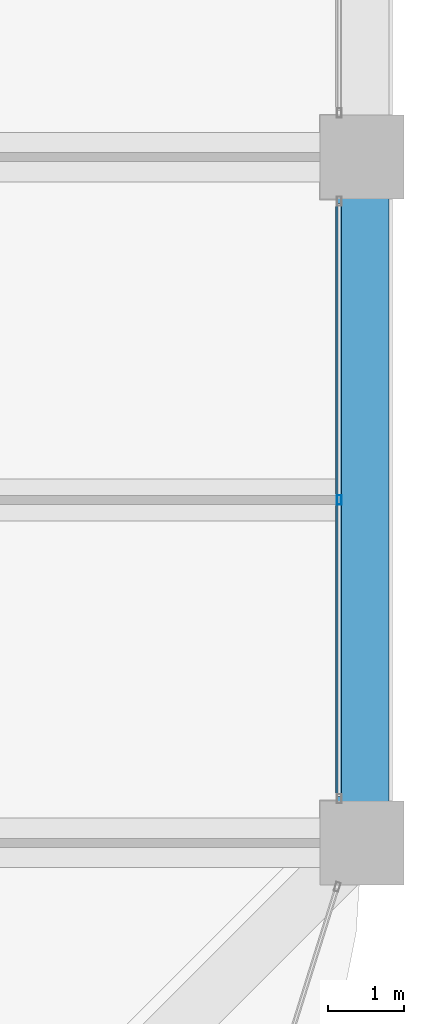
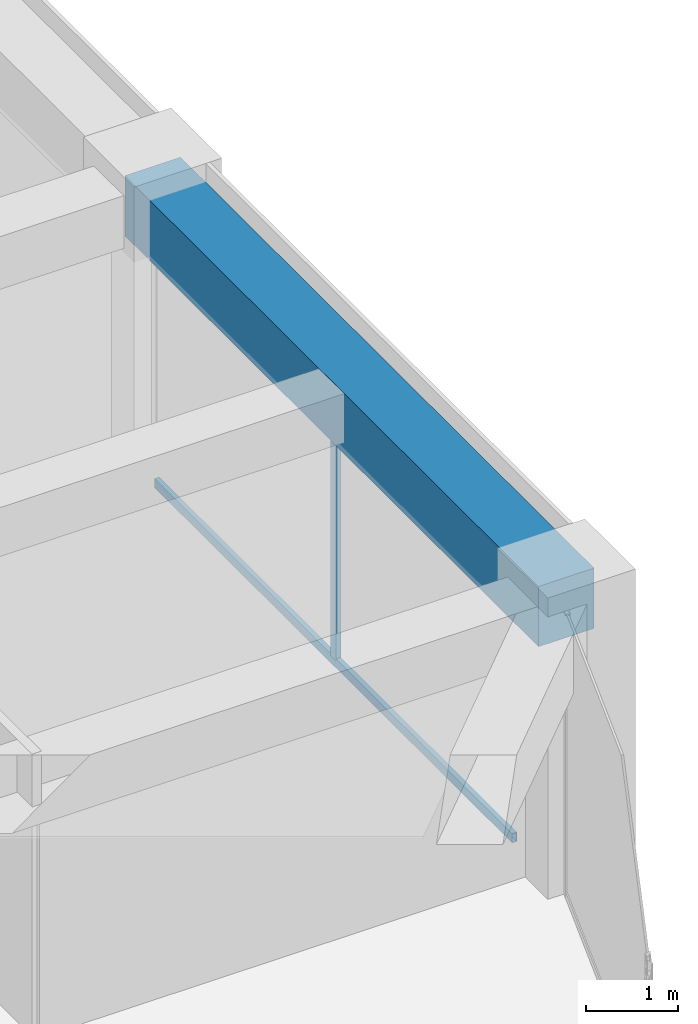
# One storey, part 23 of 44: 2 members, 1 beam, 1 element without a shape of its own.
"""IFC4 building model written with IfcOpenShell, lengths in metres."""

from ifc_helpers import new_model, si_unit, direction, frame, origin, origin_2d, place, context, subcontext, project, spatial, rectangle, hollow_rectangle, extrude, material, material_profile, profile_set, type_object, element, aggregate, save


model = new_model("IFC4")

# Units and contexts
model_context = context("Model", 3, precision=1e-05, world=origin(), true_north=direction((0.0, 1.0)))
body_context = subcontext(model_context, "Body", "Model", "MODEL_VIEW")
ifc_project = project(units=[si_unit("LENGTHUNIT", "METRE"), si_unit("AREAUNIT", "SQUARE_METRE"), si_unit("VOLUMEUNIT", "CUBIC_METRE"), si_unit("PLANEANGLEUNIT", "RADIAN"), si_unit("MASSUNIT", "GRAM", prefix="KILO")], contexts=[model_context])

# Site, building, storey
site_placement = place(None, origin())
site = spatial("IfcSite", under=ifc_project, at=site_placement, CompositionType="ELEMENT")
building_placement = place(site_placement, origin())
building = spatial("IfcBuilding", under=site, at=building_placement, Name="Zorevar Civic Tower", CompositionType="ELEMENT")
storey_placement = place(building_placement, frame((0.0, 0.0, 267.39990234375)))
storey = spatial("IfcBuildingStorey", under=building, at=storey_placement, Name="L65", CompositionType="ELEMENT", Elevation=267.39990234375)

# Curtain wall, members
ifc_material_1 = material(Name="Dark grey solar-control glass in black aluminium frame", Category="aluminium")
curtain_wall_type = type_object("IfcCurtainWallType", Name="Curtain wall CW5 top zone", PredefinedType="NOTDEFINED", material=ifc_material_1)
curtain_wall_placement = place(storey_placement, origin())
curtain_wall = element("IfcCurtainWall", 1, at=curtain_wall_placement, inside=storey, type_object=curtain_wall_type, Name="CW5 L65", PredefinedType="NOTDEFINED")
ifc_material_2 = material(Name="Aluminium, black anodised", Category="aluminium")
ifc_material_profile_1 = material_profile(ifc_material_2, hollow_rectangle(XDim=0.06005859375, YDim=0.1201171875, WallThickness=0.0029296875, at=origin_2d()), Name="AL 120x60x3")
ifc_profile_set_1 = profile_set([ifc_material_profile_1], Name="Aluminium, black anodised")
member_type_1 = type_object("IfcMemberType", Name="CW5 mullion AL 120x60x3", PredefinedType="MULLION", material=ifc_profile_set_1)
member_1_placement = place(storey_placement, frame((53.699951171875, 13.5, 0.06005859375), z_axis=(0.0, 0.0, 1.0), x_axis=(-1.0, 0.0, 0.0)))
member_1 = element("IfcMember", 2, at=member_1_placement, type_object=member_type_1, Name="CW5 mullion 2", PredefinedType="MULLION", context=body_context, shape_type="SweptSolid", body=[
    extrude(hollow_rectangle(XDim=0.06005859375, YDim=0.1201171875, WallThickness=0.0029296875, at=origin_2d()), origin(), (0.0, 0.0, 1.0), 2.89013671875),
])
ifc_material_3 = material(Name="Aluminium, black anodised", Category="aluminium")
ifc_material_profile_2 = material_profile(ifc_material_3, hollow_rectangle(XDim=0.06005859375, YDim=0.1201171875, WallThickness=0.0029296875, at=origin_2d()), Name="AL 120x60x3")
ifc_profile_set_2 = profile_set([ifc_material_profile_2], Name="Aluminium, black anodised")
member_type_2 = type_object("IfcMemberType", Name="CW5 transom AL 120x60x3", PredefinedType="USERDEFINED", material=ifc_profile_set_2)
member_2_placement = place(storey_placement, frame((53.699951171875, 9.610107421875, 0.030029296875), z_axis=(0.0, 1.0, 0.0), x_axis=(-1.0, 0.0, 0.0)))
member_2 = element("IfcMember", 3, at=member_2_placement, type_object=member_type_2, Name="CW5 sill transom", ObjectType="TRANSOM", PredefinedType="USERDEFINED", context=body_context, shape_type="SweptSolid", body=[
    extrude(hollow_rectangle(XDim=0.06005859375, YDim=0.1201171875, WallThickness=0.0029296875, at=origin_2d()), origin(), (0.0, 0.0, 1.0), 7.77978515625),
])
aggregate(curtain_wall, [member_1, member_2])

# Beam
ifc_material_4 = material(Name="Concrete C50/60", Category="concrete")
ifc_material_profile_3 = material_profile(ifc_material_4, rectangle(XDim=0.699951171875, YDim=0.800048828125, at=origin_2d()), Name="RC 700x800")
ifc_profile_set_3 = profile_set([ifc_material_profile_3], Name="Concrete C50/60")
beam_type = type_object("IfcBeamType", Name="Edge beam RC 700x800", PredefinedType="SPANDREL", material=ifc_profile_set_3)
beam_placement = place(storey_placement, frame((54.0, 9.0, 3.35009765625), z_axis=(0.0, 1.0, 0.0), x_axis=(-1.0, 0.0, 0.0)))
element("IfcBeam", 4, at=beam_placement, inside=storey, type_object=beam_type, Name="Edge beam L66", PredefinedType="SPANDREL", context=body_context, shape_type="SweptSolid", body=[
    extrude(rectangle(XDim=0.699951171875, YDim=0.800048828125, at=origin_2d()), origin(), (0.0, 0.0, 1.0), 9.0),
])

save(model, "model.ifc")
